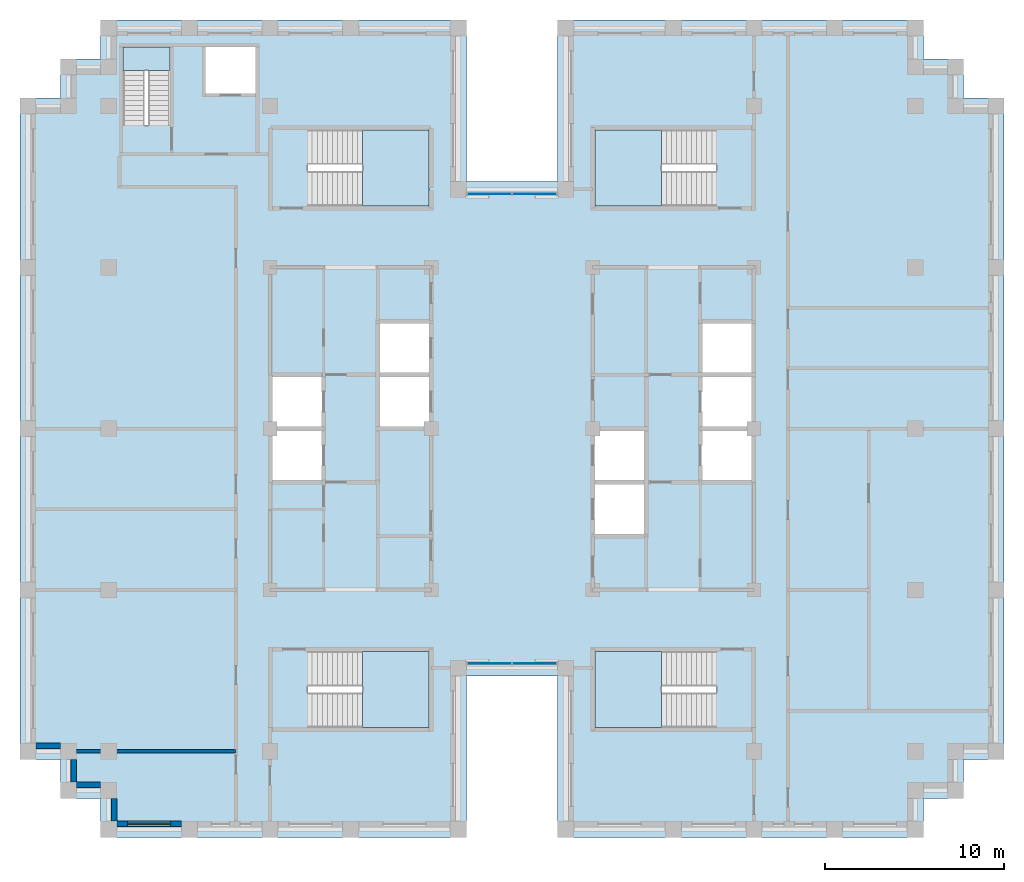
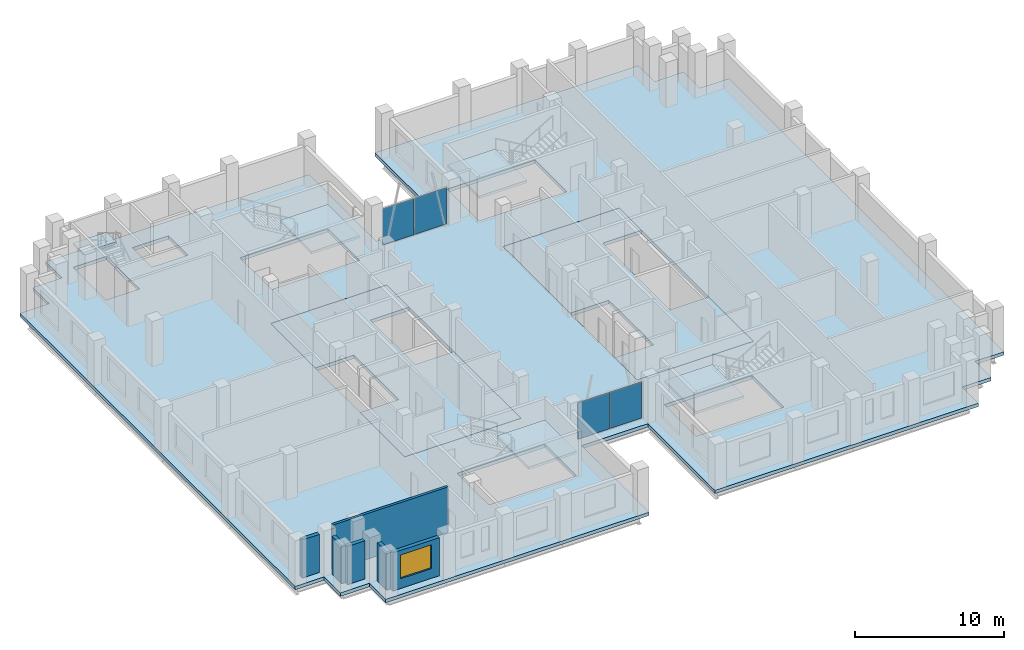
# One storey, part 5 of 13: 8 slabs, 6 walls, 4 plates, 1 window, 1 opening, 7 elements without a shape of their own.
"""IFC4 building model written with IfcOpenShell, lengths in metres."""

import ifcopenshell
import ifcopenshell.guid

model = None  # the IFC model being written
_history = None  # IfcOwnerHistory: only IFC2X3 demands one
_inside = {}  # id of a spatial element -> (the spatial element, [elements in it])
_under = {}  # id of a project, library or spatial element -> (it, [spatial elements below it])
_declared = {}  # id of a project -> (the project, [libraries it declares])
_typed = {}  # id of a type object -> (the type object, [elements of that type])
_made_of = {}  # id of a material, layer set ... -> (it, [elements and type objects made of it])


def new_model(schema):
    """Start an empty IFC model of exactly this schema.

    Asked for "IFC4X3", IfcOpenShell would pick the latest addendum, in which some entities
    have other attributes; the version numbers below select the first issue.
    IFC2X3 requires an IfcOwnerHistory on every rooted entity: one is made here for all.
    """
    global model, _history
    if schema == "IFC4X3":
        model = ifcopenshell.file(schema_version=(4, 3, 0, 0))
    else:
        model = ifcopenshell.file(schema=schema)
    _inside.clear()
    _under.clear()
    _declared.clear()
    _typed.clear()
    _made_of.clear()
    _history = None
    if model.schema == "IFC2X3":
        org = make("IfcOrganization", Name="unknown")
        user = make(
            "IfcPersonAndOrganization",
            ThePerson=make("IfcPerson", FamilyName="unknown"),
            TheOrganization=org,
        )
        app = make(
            "IfcApplication",
            ApplicationDeveloper=org,
            Version="unknown",
            ApplicationFullName="unknown",
            ApplicationIdentifier="unknown",
        )
        _history = make(
            "IfcOwnerHistory",
            OwningUser=user,
            OwningApplication=app,
            ChangeAction="ADDED",
            CreationDate=0,
        )
    return model


def make(cls, **values):
    """One entity of the class cls with the attributes given. An attribute that is None is left unset."""
    return model.create_entity(
        cls, **{name: value for name, value in values.items() if value is not None}
    )


def rooted(cls, **values):
    """An entity with a GlobalId (a new one), such as an element, a storey or a relation."""
    return make(cls, GlobalId=ifcopenshell.guid.new(), OwnerHistory=_history, **values)


def si_unit(unit_type, name, prefix=None):
    """IfcSIUnit, for example si_unit("LENGTHUNIT", "METRE", prefix="MILLI")."""
    return make("IfcSIUnit", UnitType=unit_type, Prefix=prefix, Name=name)


def assignment(units):
    """IfcUnitAssignment: the units of a project."""
    return None if units is None else make("IfcUnitAssignment", Units=units)


def point(xyz):
    """IfcCartesianPoint."""
    return None if xyz is None else make("IfcCartesianPoint", Coordinates=xyz)


def direction(xyz):
    """IfcDirection."""
    return None if xyz is None else make("IfcDirection", DirectionRatios=xyz)


def frame(location, z_axis=None, x_axis=None):
    """IfcAxis2Placement3D, a coordinate frame: its origin and axes. An axis left out is left unset."""
    return make(
        "IfcAxis2Placement3D",
        Location=point(location),
        Axis=direction(z_axis),
        RefDirection=direction(x_axis),
    )


def frame_2d(location, x_axis=None):
    """IfcAxis2Placement2D, a coordinate frame in the plane: its origin and x axis."""
    return make(
        "IfcAxis2Placement2D", Location=point(location), RefDirection=direction(x_axis)
    )


def origin():
    """The frame at (0, 0, 0) with its axes left unset."""
    return frame((0.0, 0.0, 0.0))


def origin_2d():
    """The frame at (0, 0) in the plane with its x axis left unset."""
    return frame_2d((0.0, 0.0))


def place(relative_to, where):
    """IfcLocalPlacement: puts the frame where relative to a parent placement (None: the world)."""
    return make(
        "IfcLocalPlacement", PlacementRelTo=relative_to, RelativePlacement=where
    )


def context(
    kind, dimensions, precision=None, world=None, true_north=None, identifier=None
):
    """IfcGeometricRepresentationContext, for example the 3D "Model" context."""
    return make(
        "IfcGeometricRepresentationContext",
        ContextIdentifier=identifier,
        ContextType=kind,
        CoordinateSpaceDimension=dimensions,
        Precision=precision,
        WorldCoordinateSystem=world,
        TrueNorth=true_north,
    )


def subcontext(parent, identifier, kind, view, scale=None):
    """IfcGeometricRepresentationSubContext, for example "Body" below "Model"."""
    return make(
        "IfcGeometricRepresentationSubContext",
        ContextIdentifier=identifier,
        ContextType=kind,
        ParentContext=parent,
        TargetScale=scale,
        TargetView=view,
    )


def project(units=None, contexts=None):
    """IfcProject with its units and contexts."""
    return rooted(
        "IfcProject",
        Name="project",
        RepresentationContexts=contexts,
        UnitsInContext=assignment(units),
    )


def spatial(cls, under=None, at=None, **own):
    """A site, building, storey or space (cls), placed at a placement, below another one or the project."""
    s = rooted(cls, ObjectPlacement=at, **own)
    if under is not None:
        _under.setdefault(under.id(), (under, []))[1].append(s)
    return s


def polyline(points):
    """IfcPolyline through the points."""
    return make("IfcPolyline", Points=[point(p) for p in points])


def profile(cls, at=None, kind="AREA", **sizes):
    """A parametric profile (cls). Its sizes go by their IFC names, for example OverallWidth=200.0."""
    return make(cls, ProfileType=kind, Position=at, **sizes)


def rectangle(**sizes):
    """IfcRectangleProfileDef."""
    return profile("IfcRectangleProfileDef", **sizes)


def outline(outer, holes=None, kind="AREA"):
    """IfcArbitraryClosedProfileDef: a profile drawn as a closed curve; with holes, ...WithVoids."""
    if holes is None:
        return make("IfcArbitraryClosedProfileDef", ProfileType=kind, OuterCurve=outer)
    return make(
        "IfcArbitraryProfileDefWithVoids",
        ProfileType=kind,
        OuterCurve=outer,
        InnerCurves=holes,
    )


def extrude(swept, where, along, depth):
    """IfcExtrudedAreaSolid: the profile swept, set in the frame where, extruded along a direction by depth."""
    return make(
        "IfcExtrudedAreaSolid",
        SweptArea=swept,
        Position=where,
        ExtrudedDirection=direction(along),
        Depth=depth,
    )


def shape(context_of_items, identifier, shape_type, items):
    """IfcShapeRepresentation: the items that make up one representation, for example the "Body"."""
    return make(
        "IfcShapeRepresentation",
        ContextOfItems=context_of_items,
        RepresentationIdentifier=identifier,
        RepresentationType=shape_type,
        Items=items,
    )


def material(Name=None, Category=None):
    """IfcMaterial."""
    return make("IfcMaterial", Name=Name, Category=Category)


def layer(
    of_material, thickness, ventilated=None, Name=None, Category=None, Priority=None
):
    """IfcMaterialLayer: one layer of a wall or slab, of a material (None: an air gap)."""
    return make(
        "IfcMaterialLayer",
        Material=of_material,
        LayerThickness=thickness,
        IsVentilated=ventilated,
        Name=Name,
        Category=Category,
        Priority=Priority,
    )


def layer_set(layers, Name=None):
    """IfcMaterialLayerSet."""
    return make("IfcMaterialLayerSet", MaterialLayers=layers, LayerSetName=Name)


def made_of(thing, what):
    """Note that an element or type object is made of a material, layer set ...; save() writes the relation."""
    if what is not None:
        _made_of.setdefault(what.id(), (what, []))[1].append(thing)
    return thing


def type_object(cls, material=None, **own):
    """A type object (cls), such as IfcWallType, which elements share."""
    return made_of(rooted(cls, **own), material)


def element(
    cls,
    number,
    at=None,
    inside=None,
    cuts=None,
    type_object=None,
    material=None,
    context=None,
    identifier="Body",
    shape_type=None,
    held_by="IfcProductDefinitionShape",
    body=None,
    shapes=None,
    **own,
):
    """One element of the class cls, such as IfcWall. Its Tag is "e" and its number.

    at: its placement. inside: the storey or other place that contains it. cuts: it is an
    opening in that element (IfcRelVoidsElement). A single representation is given by context,
    identifier, shape_type and body (its items); several are given by shapes. held_by: the class
    of the entity that holds the representations. save() writes the other relations.
    """
    e = rooted(cls, Tag="e%d" % number, ObjectPlacement=at, **own)
    if body is not None:
        shapes = [shape(context, identifier, shape_type, body)]
    if shapes is not None:
        e.Representation = make(held_by, Representations=shapes)
    if inside is not None:
        _inside.setdefault(inside.id(), (inside, []))[1].append(e)
    if cuts is not None:
        rooted(
            "IfcRelVoidsElement", RelatingBuildingElement=cuts, RelatedOpeningElement=e
        )
    if type_object is not None:
        _typed.setdefault(type_object.id(), (type_object, []))[1].append(e)
    return made_of(e, material)


def fill(opening, filler):
    """IfcRelFillsElement: the door or window that sits in an opening."""
    return rooted(
        "IfcRelFillsElement",
        RelatingOpeningElement=opening,
        RelatedBuildingElement=filler,
    )


def aggregate(whole, parts):
    """IfcRelAggregates: a whole, such as a stair, and the parts it consists of."""
    return rooted("IfcRelAggregates", RelatingObject=whole, RelatedObjects=parts)


def save(model, path):
    """Write the relations noted so far, then the file.

    IfcRelAggregates (storeys below a building ...), IfcRelContainedInSpatialStructure (elements
    in a storey), IfcRelDefinesByType, IfcRelAssociatesMaterial and IfcRelDeclares: one each for
    every whole, place, type object, material and project.
    """
    for whole, parts in _under.values():
        aggregate(whole, parts)
    for where, things in _inside.values():
        rooted(
            "IfcRelContainedInSpatialStructure",
            RelatedElements=things,
            RelatingStructure=where,
        )
    for kind, things in _typed.values():
        rooted("IfcRelDefinesByType", RelatedObjects=things, RelatingType=kind)
    for what, things in _made_of.values():
        rooted("IfcRelAssociatesMaterial", RelatedObjects=things, RelatingMaterial=what)
    for by, libraries in _declared.values():
        rooted("IfcRelDeclares", RelatingContext=by, RelatedDefinitions=libraries)
    model.write(path)


model = new_model("IFC4")

# Units and contexts
model_context = context("Model", 3, precision=1e-05, world=origin(), true_north=direction((0.0, 1.0)))
body_context = subcontext(model_context, "Body", "Model", "MODEL_VIEW")
ifc_project = project(units=[si_unit("LENGTHUNIT", "METRE"), si_unit("AREAUNIT", "SQUARE_METRE"), si_unit("VOLUMEUNIT", "CUBIC_METRE"), si_unit("PLANEANGLEUNIT", "RADIAN"), si_unit("MASSUNIT", "GRAM", prefix="KILO")], contexts=[model_context])

# Site, building, storey
site_placement = place(None, origin())
site = spatial("IfcSite", under=ifc_project, at=site_placement, CompositionType="ELEMENT")
building_placement = place(site_placement, origin())
building = spatial("IfcBuilding", under=site, at=building_placement, Name="Corbelhall Arena Tower", CompositionType="ELEMENT")
storey_placement = place(building_placement, frame((0.0, 0.0, 286.0)))
storey = spatial("IfcBuildingStorey", under=building, at=storey_placement, Name="L62", CompositionType="ELEMENT", Elevation=286.0)

# Curtain wall, plates
ifc_material_1 = material(Name="Aluminium black anodised", Category="aluminium")
ifc_layer_1 = layer(ifc_material_1, 0.199951171875)
ifc_layer_set_1 = layer_set([ifc_layer_1], Name="EV-CW1 Slot back wall")
curtain_wall_type = type_object("IfcCurtainWallType", Name="EV-CW1 Slot back wall", PredefinedType="NOTDEFINED", material=ifc_layer_set_1)
curtain_wall_1_placement = place(storey_placement, origin())
curtain_wall_1 = element("IfcCurtainWall", 1, at=curtain_wall_1_placement, inside=storey, type_object=curtain_wall_type, Name="Curtain wall CW1", PredefinedType="NOTDEFINED")
ifc_material_2 = material(Name="Glass dark tinted laminated", Category="glass")
ifc_layer_2 = layer(ifc_material_2, 0.028076171875)
ifc_layer_set_2 = layer_set([ifc_layer_2], Name="EV-CW1-PANEL")
plate_type = type_object("IfcPlateType", Name="EV-CW1-PANEL", PredefinedType="CURTAIN_PANEL", material=ifc_layer_set_2)
plate_1_placement = place(storey_placement, frame((-1.25634765625, -13.10009765625, 0.0751953125), z_axis=(0.0, 0.0, 1.0), x_axis=(1.0, 0.0, 0.0)))
plate_1 = element("IfcPlate", 2, at=plate_1_placement, type_object=plate_type, Name="CW1 panel 1.1", PredefinedType="CURTAIN_PANEL", context=body_context, shape_type="SweptSolid", body=[
    extrude(rectangle(XDim=2.4375, YDim=0.028076171875, at=origin_2d()), origin(), (0.0, 0.0, 1.0), 2.969970703125),
])
plate_2_placement = place(storey_placement, frame((1.25634765625, -13.10009765625, 0.0751953125), z_axis=(0.0, 0.0, 1.0), x_axis=(1.0, 0.0, 0.0)))
plate_2 = element("IfcPlate", 3, at=plate_2_placement, type_object=plate_type, Name="CW1 panel 2.1", PredefinedType="CURTAIN_PANEL", context=body_context, shape_type="SweptSolid", body=[
    extrude(rectangle(XDim=2.4375, YDim=0.028076171875, at=origin_2d()), origin(), (0.0, 0.0, 1.0), 2.969970703125),
])
aggregate(curtain_wall_1, [plate_1, plate_2])

curtain_wall_2_placement = place(storey_placement, origin())
curtain_wall_2 = element("IfcCurtainWall", 4, at=curtain_wall_2_placement, inside=storey, type_object=curtain_wall_type, Name="Curtain wall CW1", PredefinedType="NOTDEFINED")
plate_3_placement = place(storey_placement, frame((1.25634765625, 13.10009765625, 0.0751953125), z_axis=(0.0, 0.0, 1.0), x_axis=(-1.0, 0.0, 0.0)))
plate_3 = element("IfcPlate", 5, at=plate_3_placement, type_object=plate_type, Name="CW1 panel 1.1", PredefinedType="CURTAIN_PANEL", context=body_context, shape_type="SweptSolid", body=[
    extrude(rectangle(XDim=2.4375, YDim=0.028076171875, at=origin_2d()), origin(), (0.0, 0.0, 1.0), 2.969970703125),
])
plate_4_placement = place(storey_placement, frame((-1.25634765625, 13.10009765625, 0.0751953125), z_axis=(0.0, 0.0, 1.0), x_axis=(-1.0, 0.0, 0.0)))
plate_4 = element("IfcPlate", 6, at=plate_4_placement, type_object=plate_type, Name="CW1 panel 2.1", PredefinedType="CURTAIN_PANEL", context=body_context, shape_type="SweptSolid", body=[
    extrude(rectangle(XDim=2.4375, YDim=0.028076171875, at=origin_2d()), origin(), (0.0, 0.0, 1.0), 2.969970703125),
])
aggregate(curtain_wall_2, [plate_3, plate_4])

# Slabs
ifc_material_3 = material(Name="Concrete C40/50", Category="concrete")
ifc_layer_3 = layer(ifc_material_3, 0.300048828125)
ifc_layer_set_3 = layer_set([ifc_layer_3], Name="IN-SL-CORE")
slab_type_1 = type_object("IfcSlabType", Name="IN-SL-CORE", PredefinedType="FLOOR", material=ifc_layer_set_3)
slab_1_placement = place(storey_placement, frame((0.0, 0.0, -0.280029296875)))
element("IfcSlab", 7, at=slab_1_placement, inside=storey, type_object=slab_type_1, Name="Core floor W", PredefinedType="FLOOR", context=body_context, shape_type="SweptSolid", body=[
    extrude(outline(polyline([(-10.5, -3.0), (-13.5, -3.0), (-13.5, -9.0), (-4.5, -9.0), (-4.5, 0.0), (-7.5, 0.0), (-7.5, 3.0), (-7.5, 6.0), (-4.5, 6.0), (-4.5, 9.0), (-13.5, 9.0), (-13.5, 3.0), (-10.5, 3.0), (-10.5, 0.0), (-10.5, -3.0)])), origin(), (0.0, 0.0, 1.0), 0.280029296875),
])
slab_2_placement = place(storey_placement, frame((0.0, 0.0, -0.280029296875)))
element("IfcSlab", 8, at=slab_2_placement, inside=storey, type_object=slab_type_1, Name="Core floor E", PredefinedType="FLOOR", context=body_context, shape_type="SweptSolid", body=[
    extrude(outline(polyline([(13.5, -3.0), (10.5, -3.0), (10.5, 0.0), (10.5, 3.0), (10.5, 6.0), (13.5, 6.0), (13.5, 9.0), (4.5, 9.0), (4.5, 0.0), (7.5, 0.0), (7.5, -3.0), (7.5, -6.0), (4.5, -6.0), (4.5, -9.0), (13.5, -9.0), (13.5, -3.0)])), origin(), (0.0, 0.0, 1.0), 0.280029296875),
])

# Stair, slab
stair_type = type_object("IfcStairType", Name="IN-ST-TOWER", PredefinedType="HALF_TURN_STAIR", material=ifc_material_3)
stair_1_placement = place(storey_placement, origin())
stair_1 = element("IfcStair", 9, at=stair_1_placement, inside=storey, type_object=stair_type, Name="L62 Exit stair ST1", PredefinedType="HALF_TURN_STAIR")
ifc_layer_4 = layer(ifc_material_3, 0.199951171875)
ifc_layer_set_4 = layer_set([ifc_layer_4], Name="IN-SL-LANDING")
slab_type_2 = type_object("IfcSlabType", Name="IN-SL-LANDING", PredefinedType="LANDING", material=ifc_layer_set_4)
slab_3_placement = place(storey_placement, frame((0.0, 0.0, 1.800048828125)))
slab_3 = element("IfcSlab", 10, at=slab_3_placement, type_object=slab_type_2, Name="ST1 landing 1", PredefinedType="LANDING", context=body_context, shape_type="SweptSolid", body=[
    extrude(outline(polyline([(-8.344970703125, 12.425048828125), (-4.625, 12.425048828125), (-4.625, 16.675048828125), (-8.344970703125, 16.675048828125), (-8.344970703125, 12.425048828125)])), origin(), (0.0, 0.0, 1.0), 0.199951171875),
])
aggregate(stair_1, [slab_3])

stair_2_placement = place(storey_placement, origin())
stair_2 = element("IfcStair", 11, at=stair_2_placement, inside=storey, type_object=stair_type, Name="L62 Exit stair ST2", PredefinedType="HALF_TURN_STAIR")
slab_4_placement = place(storey_placement, frame((0.0, 0.0, 1.800048828125)))
slab_4 = element("IfcSlab", 12, at=slab_4_placement, type_object=slab_type_2, Name="ST2 landing 1", PredefinedType="LANDING", context=body_context, shape_type="SweptSolid", body=[
    extrude(outline(polyline([(-8.344970703125, -16.675048828125), (-4.625, -16.675048828125), (-4.625, -12.425048828125), (-8.344970703125, -12.425048828125), (-8.344970703125, -16.675048828125)])), origin(), (0.0, 0.0, 1.0), 0.199951171875),
])
aggregate(stair_2, [slab_4])

stair_3_placement = place(storey_placement, origin())
stair_3 = element("IfcStair", 13, at=stair_3_placement, inside=storey, type_object=stair_type, Name="L62 Exit stair ST3", PredefinedType="HALF_TURN_STAIR")
slab_5_placement = place(storey_placement, frame((0.0, 0.0, 1.800048828125)))
slab_5 = element("IfcSlab", 14, at=slab_5_placement, type_object=slab_type_2, Name="ST3 landing 1", PredefinedType="LANDING", context=body_context, shape_type="SweptSolid", body=[
    extrude(outline(polyline([(8.344970703125, 16.675048828125), (4.625, 16.675048828125), (4.625, 12.425048828125), (8.344970703125, 12.425048828125), (8.344970703125, 16.675048828125)])), origin(), (0.0, 0.0, 1.0), 0.199951171875),
])
aggregate(stair_3, [slab_5])

stair_4_placement = place(storey_placement, origin())
stair_4 = element("IfcStair", 15, at=stair_4_placement, inside=storey, type_object=stair_type, Name="L62 Exit stair ST4", PredefinedType="HALF_TURN_STAIR")
slab_6_placement = place(storey_placement, frame((0.0, 0.0, 1.800048828125)))
slab_6 = element("IfcSlab", 16, at=slab_6_placement, type_object=slab_type_2, Name="ST4 landing 1", PredefinedType="LANDING", context=body_context, shape_type="SweptSolid", body=[
    extrude(outline(polyline([(8.344970703125, -12.425048828125), (4.625, -12.425048828125), (4.625, -16.675048828125), (8.344970703125, -16.675048828125), (8.344970703125, -12.425048828125)])), origin(), (0.0, 0.0, 1.0), 0.199951171875),
])
aggregate(stair_4, [slab_6])

stair_5_placement = place(storey_placement, origin())
stair_5 = element("IfcStair", 17, at=stair_5_placement, inside=storey, type_object=stair_type, Name="L62 Exit stair ST5", PredefinedType="HALF_TURN_STAIR")
slab_7_placement = place(storey_placement, frame((0.0, 0.0, 1.800048828125)))
slab_7 = element("IfcSlab", 18, at=slab_7_placement, type_object=slab_type_2, Name="ST5 landing 1", PredefinedType="LANDING", context=body_context, shape_type="SweptSolid", body=[
    extrude(outline(polyline([(-19.094970703125, 19.97998046875), (-19.094970703125, 21.300048828125), (-21.695068359375, 21.300048828125), (-21.695068359375, 19.97998046875), (-19.094970703125, 19.97998046875)])), origin(), (0.0, 0.0, 1.0), 0.199951171875),
])
aggregate(stair_5, [slab_7])

# Slab
ifc_layer_5 = layer(ifc_material_3, 0.280029296875)
ifc_layer_set_5 = layer_set([ifc_layer_5], Name="ST-SLAB-FLOOR-280")
slab_type_3 = type_object("IfcSlabType", Name="ST-SLAB-FLOOR-280", PredefinedType="FLOOR", material=ifc_layer_set_5)
slab_8_placement = place(storey_placement, frame((0.0, 0.0, -0.280029296875)))
element("IfcSlab", 19, at=slab_8_placement, inside=storey, type_object=slab_type_3, Name="Floor slab L62 1", PredefinedType="FLOOR", context=body_context, shape_type="SweptSolid", body=[
    extrude(outline(polyline([(22.949951171875, 22.800048828125), (2.550048828125, 22.800048828125), (2.550048828125, 13.800048828125), (-2.550048828125, 13.800048828125), (-2.550048828125, 22.800048828125), (-22.949951171875, 22.800048828125), (-22.949951171875, 20.625), (-25.199951171875, 20.625), (-25.199951171875, 18.449951171875), (-27.449951171875, 18.449951171875), (-27.449951171875, -18.449951171875), (-25.199951171875, -18.449951171875), (-25.199951171875, -20.625), (-22.949951171875, -20.625), (-22.949951171875, -22.800048828125), (-2.550048828125, -22.800048828125), (-2.550048828125, -13.800048828125), (2.550048828125, -13.800048828125), (2.550048828125, -22.800048828125), (22.949951171875, -22.800048828125), (22.949951171875, -20.625), (25.199951171875, -20.625), (25.199951171875, -18.449951171875), (27.449951171875, -18.449951171875), (27.449951171875, 18.449951171875), (25.199951171875, 18.449951171875), (25.199951171875, 20.625), (22.949951171875, 20.625), (22.949951171875, 22.800048828125)]), holes=[polyline([(-13.5, 9.0), (-13.5, -9.0), (-4.5, -9.0), (-4.5, 9.0), (-13.5, 9.0)]), polyline([(4.5, 9.0), (4.5, -9.0), (13.5, -9.0), (13.5, 9.0), (4.5, 9.0)]), polyline([(-4.625, 16.675048828125), (-11.422119140625, 16.675048828125), (-11.422119140625, 12.425048828125), (-4.625, 12.425048828125), (-4.625, 16.675048828125)]), polyline([(-4.625, -16.675048828125), (-4.625, -12.425048828125), (-11.422119140625, -12.425048828125), (-11.422119140625, -16.675048828125), (-4.625, -16.675048828125)]), polyline([(11.422119140625, 16.675048828125), (4.625, 16.675048828125), (4.625, 12.425048828125), (11.422119140625, 12.425048828125), (11.422119140625, 16.675048828125)]), polyline([(11.422119140625, -16.675048828125), (11.422119140625, -12.425048828125), (4.625, -12.425048828125), (4.625, -16.675048828125), (11.422119140625, -16.675048828125)]), polyline([(-21.695068359375, 21.300048828125), (-21.695068359375, 16.903076171875), (-19.094970703125, 16.903076171875), (-19.094970703125, 21.300048828125), (-21.695068359375, 21.300048828125)]), polyline([(-14.300048828125, 21.300048828125), (-17.10009765625, 21.300048828125), (-17.10009765625, 18.699951171875), (-14.300048828125, 18.699951171875), (-14.300048828125, 21.300048828125)])]), origin(), (0.0, 0.0, 1.0), 0.280029296875),
])

# Walls
ifc_material_4 = material(Name="Precast concrete C40/50 with granite facing", Category="masonry")
ifc_layer_6 = layer(ifc_material_4, 0.300048828125)
ifc_layer_set_6 = layer_set([ifc_layer_6], Name="EV-IW1 Infill panel 300")
wall_type_1 = type_object("IfcWallType", Name="EV-IW1 Infill panel 300", PredefinedType="SOLIDWALL", material=ifc_layer_set_6)
wall_1_placement = place(storey_placement, frame((-26.550048828125, -17.699951171875, 0.0), z_axis=(0.0, 0.0, 1.0), x_axis=(1.0, 0.0, 0.0)))
element("IfcWall", 20, at=wall_1_placement, inside=storey, type_object=wall_type_1, Name="Infill panel IW1", PredefinedType="SOLIDWALL", context=body_context, shape_type="SweptSolid", body=[
    extrude(rectangle(XDim=1.35009765625, YDim=0.300048828125, at=frame_2d((0.675048828125, 0.0))), origin(), (0.0, 0.0, 1.0), 3.1201171875),
])
wall_2_placement = place(storey_placement, frame((-24.449951171875, -18.449951171875, 0.0), z_axis=(0.0, 0.0, 1.0), x_axis=(0.0, -1.0, 0.0)))
element("IfcWall", 21, at=wall_2_placement, inside=storey, type_object=wall_type_1, Name="Infill panel IW1", PredefinedType="SOLIDWALL", context=body_context, shape_type="SweptSolid", body=[
    extrude(rectangle(XDim=1.275146484375, YDim=0.300048828125, at=frame_2d((0.6376953125, 0.0))), origin(), (0.0, 0.0, 1.0), 3.1201171875),
])
wall_3_placement = place(storey_placement, frame((-24.300048828125, -19.875, 0.0), z_axis=(0.0, 0.0, 1.0), x_axis=(1.0, 0.0, 0.0)))
element("IfcWall", 22, at=wall_3_placement, inside=storey, type_object=wall_type_1, Name="Infill panel IW1", PredefinedType="SOLIDWALL", context=body_context, shape_type="SweptSolid", body=[
    extrude(rectangle(XDim=1.35009765625, YDim=0.300048828125, at=frame_2d((0.675048828125, 0.0))), origin(), (0.0, 0.0, 1.0), 3.1201171875),
])
wall_4_placement = place(storey_placement, frame((-22.199951171875, -20.625, 0.0), z_axis=(0.0, 0.0, 1.0), x_axis=(0.0, -1.0, 0.0)))
element("IfcWall", 23, at=wall_4_placement, inside=storey, type_object=wall_type_1, Name="Infill panel IW1", PredefinedType="SOLIDWALL", context=body_context, shape_type="SweptSolid", body=[
    extrude(rectangle(XDim=1.27490234375, YDim=0.300048828125, at=frame_2d((0.637451171875, 0.0))), origin(), (0.0, 0.0, 1.0), 3.1201171875),
])

# Wall, opening, window
wall_5_placement = place(storey_placement, frame((-22.050048828125, -22.050048828125, 0.0), z_axis=(0.0, 0.0, 1.0), x_axis=(1.0, 0.0, 0.0)))
wall_5 = element("IfcWall", 24, at=wall_5_placement, inside=storey, type_object=wall_type_1, Name="Infill panel IW1", PredefinedType="SOLIDWALL", context=body_context, shape_type="SweptSolid", body=[
    extrude(rectangle(XDim=3.60009765625, YDim=0.300048828125, at=frame_2d((1.800048828125, 0.0))), origin(), (0.0, 0.0, 1.0), 3.1201171875),
])
opening_placement = place(wall_5_placement, frame((0.60009765625, 0.0, 0.800048828125)))
opening = element("IfcOpeningElement", 25, at=opening_placement, cuts=wall_5, Name="Opening WN1", PredefinedType="OPENING", context=body_context, shape_type="SweptSolid", body=[
    extrude(rectangle(XDim=2.39990234375, YDim=1.949951171875, at=frame_2d((1.199951171875, 0.97509765625))), frame((0.0, 0.14990234375, 0.0), z_axis=(0.0, -1.0, 0.0), x_axis=(1.0, 0.0, 0.0)), (0.0, 0.0, 1.0), 0.300048828125),
])
window_type = type_object("IfcWindowType", Name="EV-WN1 Office window", PartitioningType="SINGLE_PANEL", PredefinedType="WINDOW", material=ifc_material_1)
window_placement = place(opening_placement, origin())
window = element("IfcWindow", 26, at=window_placement, inside=storey, type_object=window_type, Name="Window WN1", OverallHeight=1.949951171875, OverallWidth=2.39990234375, PartitioningType="SINGLE_PANEL", PredefinedType="WINDOW", context=body_context, shape_type="SweptSolid", body=[
    extrude(rectangle(XDim=2.39990234375, YDim=1.949951171875, at=frame_2d((1.199951171875, 0.97509765625))), frame((0.0, 0.030029296875, 0.0), z_axis=(0.0, -1.0, 0.0), x_axis=(1.0, 0.0, 0.0)), (0.0, 0.0, 1.0), 0.06005859375),
])
fill(opening, window)

# Wall
ifc_material_5 = material(Name="Gypsum board on steel stud, acoustic", Category="steel")
ifc_layer_7 = layer(ifc_material_5, 0.199951171875)
ifc_layer_set_7 = layer_set([ifc_layer_7], Name="IN-W-DM200")
wall_type_2 = type_object("IfcWallType", Name="IN-W-DM200", PredefinedType="PARTITIONING", material=ifc_layer_set_7)
wall_6_placement = place(storey_placement, frame((-24.300048828125, -18.0, 0.0), z_axis=(0.0, 0.0, 1.0), x_axis=(1.0, 0.0, 0.0)))
element("IfcWall", 27, at=wall_6_placement, inside=storey, type_object=wall_type_2, Name="Partition 003", PredefinedType="PARTITIONING", context=body_context, shape_type="SweptSolid", body=[
    extrude(rectangle(XDim=8.900146484375, YDim=0.199951171875, at=frame_2d((4.4501953125, 0.0))), origin(), (0.0, 0.0, 1.0), 3.719970703125),
])

save(model, "model.ifc")
